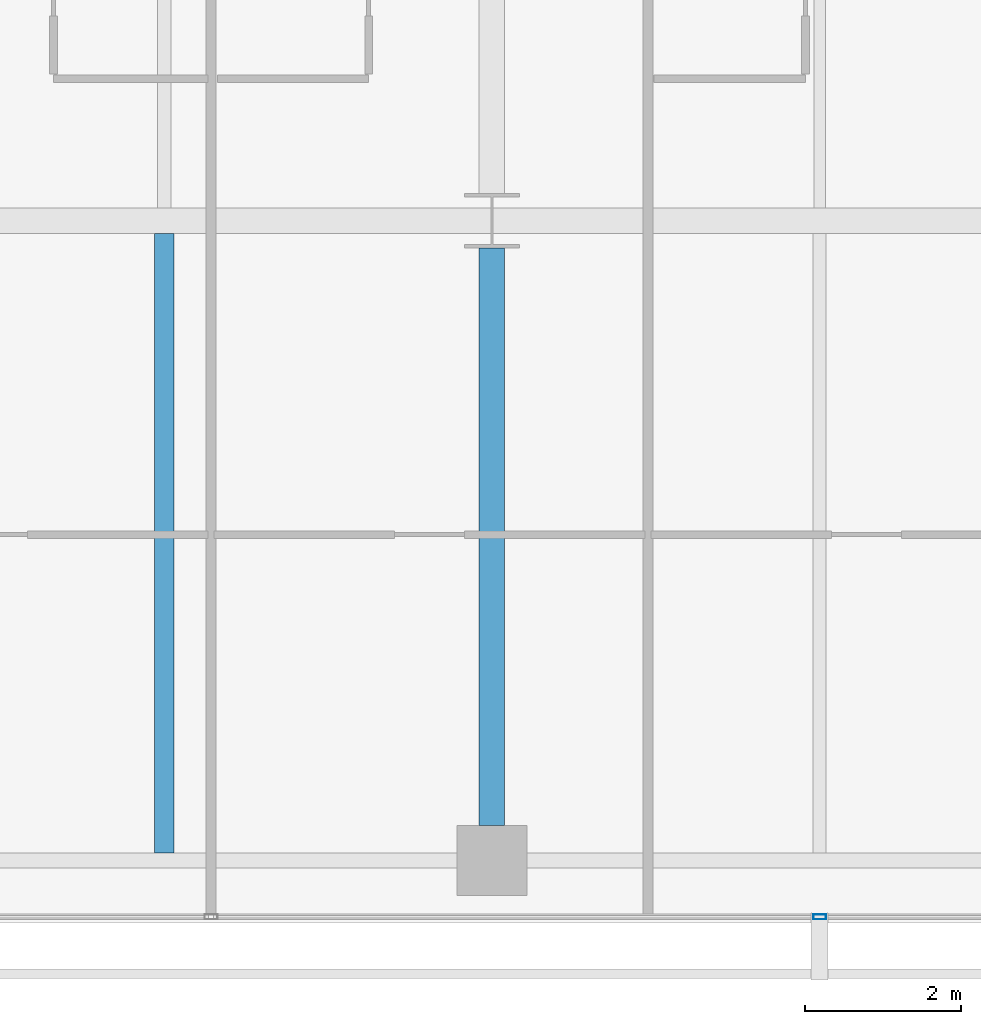
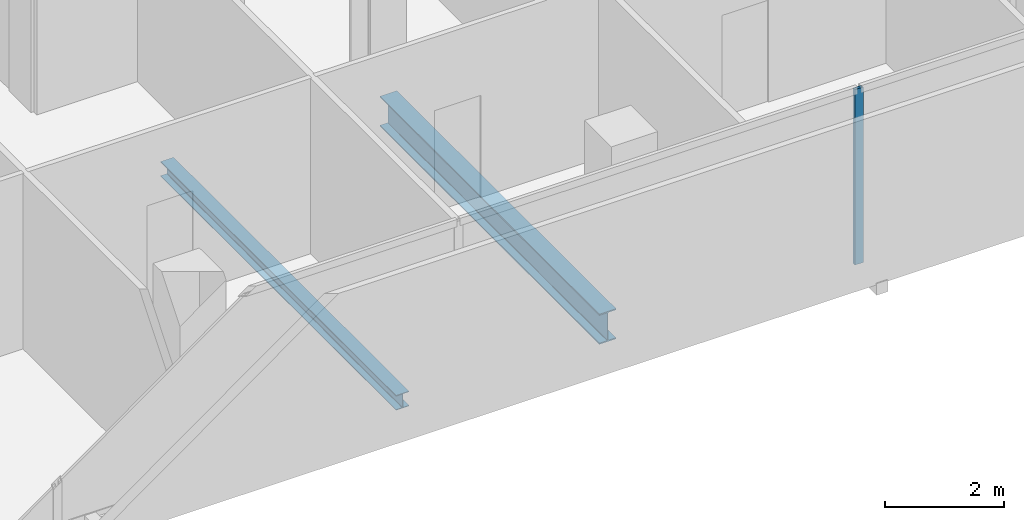
# One storey, part 8 of 40: 2 beams, 1 member, 1 element without a shape of its own.
"""IFC4 building model written with IfcOpenShell, lengths in metres."""

from ifc_helpers import new_model, si_unit, direction, frame, origin, origin_2d, place, context, subcontext, project, spatial, hollow_rectangle, i_section, extrude, material, layer, layer_set, material_profile, profile_set, type_object, element, aggregate, save


model = new_model("IFC4")

# Units and contexts
model_context = context("Model", 3, precision=1e-05, world=origin(), true_north=direction((0.0, 1.0)))
body_context = subcontext(model_context, "Body", "Model", "MODEL_VIEW")
ifc_project = project(units=[si_unit("LENGTHUNIT", "METRE"), si_unit("AREAUNIT", "SQUARE_METRE"), si_unit("VOLUMEUNIT", "CUBIC_METRE"), si_unit("PLANEANGLEUNIT", "RADIAN"), si_unit("MASSUNIT", "GRAM", prefix="KILO")], contexts=[model_context])

# Site, building, storey
site_placement = place(None, origin())
site = spatial("IfcSite", under=ifc_project, at=site_placement, CompositionType="ELEMENT")
building_placement = place(site_placement, origin())
building = spatial("IfcBuilding", under=site, at=building_placement, Name="Maruvema Waterfront Hotel and Observation Tower", CompositionType="ELEMENT")
storey_placement = place(building_placement, frame((0.0, 0.0, 57.75)))
storey = spatial("IfcBuildingStorey", under=building, at=storey_placement, Name="L13", CompositionType="ELEMENT", Elevation=57.75)

# Curtain wall, member
ifc_material_1 = material(Name="Anodised bronze aluminium and solar-control low-E IGU", Category="aluminium")
ifc_layer = layer(ifc_material_1, 0.159912109375, Name="Zone 1 Bronze Inner Thermal Curtain Wall System CW-02")
ifc_layer_set = layer_set([ifc_layer], Name="Anodised bronze aluminium and solar-control low-E IGU")
curtain_wall_type = type_object("IfcCurtainWallType", Name="Zone 1 Bronze Inner Thermal Curtain Wall System CW-02", PredefinedType="USERDEFINED", material=ifc_layer_set)
curtain_wall_placement = place(storey_placement, origin())
curtain_wall = element("IfcCurtainWall", 1, at=curtain_wall_placement, inside=storey, type_object=curtain_wall_type, Name="L13 Curtain Wall CW-L13-S", ObjectType="UNITISED CURTAIN WALL", PredefinedType="USERDEFINED")
ifc_material_2 = material(Name="Anodised architectural bronze aluminium", Category="aluminium")
ifc_material_profile_1 = material_profile(ifc_material_2, hollow_rectangle(XDim=0.06494140625, YDim=0.1650390625, WallThickness=0.00390625, at=origin_2d()), Name="ALU-M65x165")
ifc_profile_set_1 = profile_set([ifc_material_profile_1], Name="Anodised architectural bronze aluminium")
member_type = type_object("IfcMemberType", Name="Curtain Wall Primary Mullion ALU-M65x165", PredefinedType="MULLION", material=ifc_profile_set_1)
member_placement = place(storey_placement, frame((37.800048828125, 0.080078125, 0.0), z_axis=(0.0, 0.0, 1.0), x_axis=(0.0, 1.0, 0.0)))
member = element("IfcMember", 2, at=member_placement, type_object=member_type, Name="CW-02 mullion 4", PredefinedType="MULLION", context=body_context, shape_type="SweptSolid", body=[
    extrude(hollow_rectangle(XDim=0.06494140625, YDim=0.1650390625, WallThickness=0.00390625, at=origin_2d()), origin(), (0.0, 0.0, 1.0), 3.610107421875),
])
aggregate(curtain_wall, [member])

# Beams
ifc_material_3 = material(Name="Steel ASTM A572 Grade 50", Category="steel")
ifc_material_profile_2 = material_profile(ifc_material_3, i_section(OverallWidth=0.326904296875, OverallDepth=0.6220703125, WebThickness=0.015380859375, FlangeThickness=0.0244140625, FilletRadius=0.01806640625, at=origin_2d()), Name="W610x195.0")
ifc_profile_set_2 = profile_set([ifc_material_profile_2], Name="Steel ASTM A572 Grade 50")
beam_type_1 = type_object("IfcBeamType", Name="Primary Floor Girder W610x195.0", PredefinedType="BEAM", material=ifc_profile_set_2)
beam_1_placement = place(storey_placement, frame((33.60009765625, 1.25, -0.551025390625), z_axis=(0.0, 1.0, 0.0), x_axis=(-1.0, 0.0, 0.0)))
element("IfcBeam", 3, at=beam_1_placement, inside=storey, type_object=beam_type_1, Name="L13 Floor Girder NS-16", PredefinedType="BEAM", context=body_context, shape_type="SweptSolid", body=[
    extrude(i_section(OverallWidth=0.326904296875, OverallDepth=0.6220703125, WebThickness=0.015380859375, FlangeThickness=0.0244140625, FilletRadius=0.01806640625, at=origin_2d()), origin(), (0.0, 0.0, 1.0), 7.39990234375),
])
ifc_material_4 = material(Name="Steel ASTM A572 Grade 50", Category="steel")
ifc_material_profile_3 = material_profile(ifc_material_4, i_section(OverallWidth=0.25390625, OverallDepth=0.305908203125, WebThickness=0.0087890625, FlangeThickness=0.0146484375, FilletRadius=0.014892578125, at=origin_2d()), Name="W310x79.0")
ifc_profile_set_3 = profile_set([ifc_material_profile_3], Name="Steel ASTM A572 Grade 50")
beam_type_2 = type_object("IfcBeamType", Name="Secondary Floor Joist W310x79.0", PredefinedType="JOIST", material=ifc_profile_set_3)
beam_2_placement = place(storey_placement, frame((29.39990234375, 0.89501953125, -0.39306640625), z_axis=(0.0, 1.0, 0.0), x_axis=(-1.0, 0.0, 0.0)))
element("IfcBeam", 4, at=beam_2_placement, inside=storey, type_object=beam_type_2, Name="L13 Secondary Floor Joist JS-10", PredefinedType="JOIST", context=body_context, shape_type="SweptSolid", body=[
    extrude(i_section(OverallWidth=0.25390625, OverallDepth=0.305908203125, WebThickness=0.0087890625, FlangeThickness=0.0146484375, FilletRadius=0.014892578125, at=origin_2d()), origin(), (0.0, 0.0, 1.0), 7.94140625),
])

save(model, "model.ifc")
